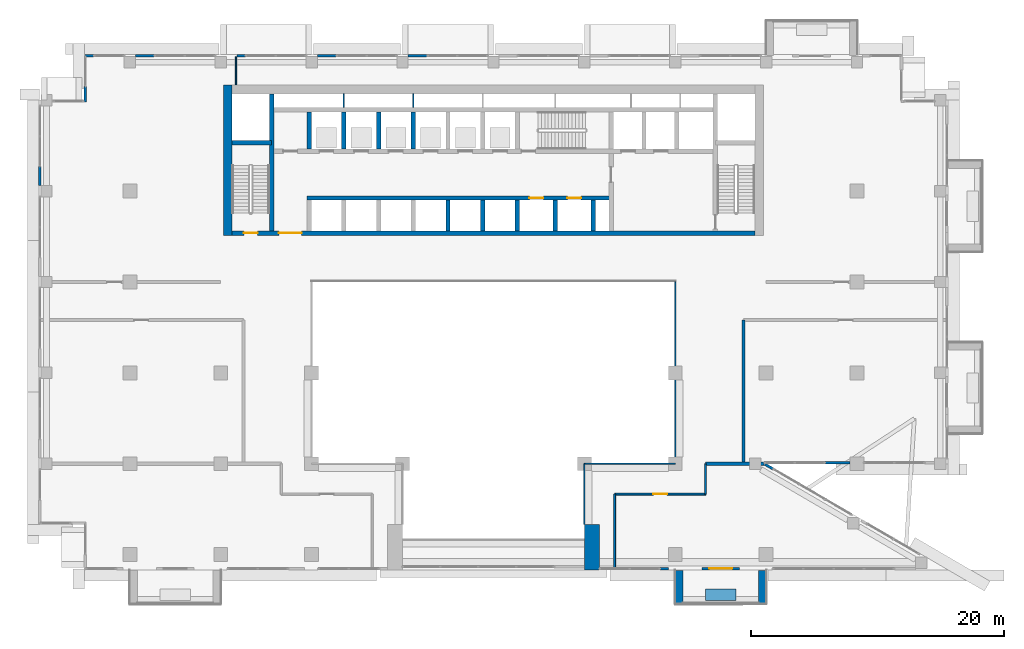
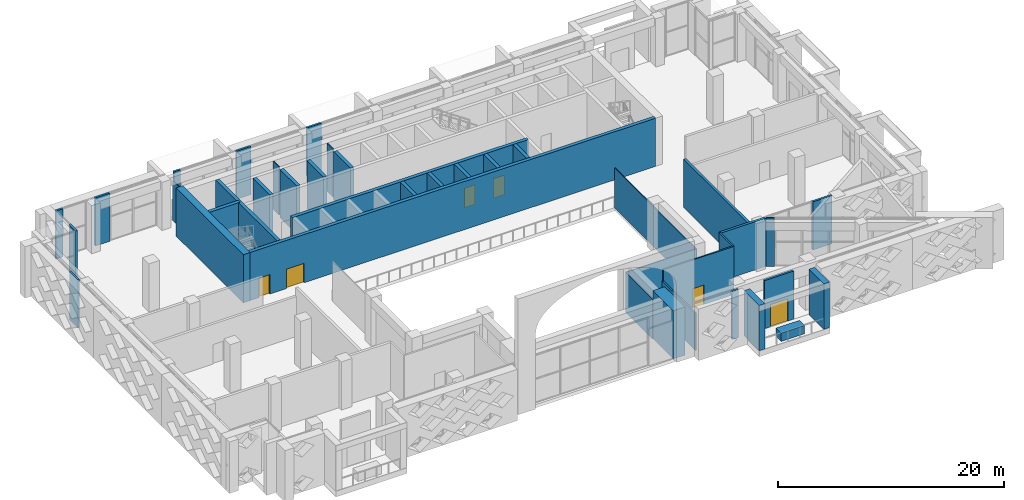
# One storey, part 15 of 25: 40 walls, 6 doors, 6 openings.
"""IFC4 building model written with IfcOpenShell, lengths in metres."""

from ifc_helpers import new_model, si_unit, direction, frame, frame_2d, origin, place, context, subcontext, project, spatial, rectangle, extrude, material, layer, layer_set, type_object, element, fill, save


model = new_model("IFC4")

# Units and contexts
model_context = context("Model", 3, precision=1e-05, world=origin(), true_north=direction((0.0, 1.0)))
body_context = subcontext(model_context, "Body", "Model", "MODEL_VIEW")
ifc_project = project(units=[si_unit("LENGTHUNIT", "METRE"), si_unit("AREAUNIT", "SQUARE_METRE"), si_unit("VOLUMEUNIT", "CUBIC_METRE"), si_unit("PLANEANGLEUNIT", "RADIAN"), si_unit("MASSUNIT", "GRAM", prefix="KILO")], contexts=[model_context])

# Site, building, storey
site_placement = place(None, origin())
site = spatial("IfcSite", under=ifc_project, at=site_placement, CompositionType="ELEMENT")
building_placement = place(site_placement, origin())
building = spatial("IfcBuilding", under=site, at=building_placement, Name="Saffron Iwan Residences", CompositionType="ELEMENT")
storey_placement = place(building_placement, frame((0.0, 0.0, 137.5)))
storey = spatial("IfcBuildingStorey", under=building, at=storey_placement, Name="L36", CompositionType="ELEMENT", Elevation=137.5)

# Walls
ifc_material_1 = material(Name="Concrete C50/60 white painted", Category="concrete")
ifc_layer_1 = layer(ifc_material_1, 0.60009765625)
ifc_layer_set_1 = layer_set([ifc_layer_1], Name="Concrete C50/60 white painted")
wall_type_1 = type_object("IfcWallType", Name="BALCONY FIN 600", PredefinedType="SOLIDWALL", material=ifc_layer_set_1)
for number, where, z_axis, x_axis, name in (
    (1, (65.10009765625, 39.550048828125, 0.0), (0.0, 0.0, 1.0), (0.0, -1.0, 0.0), "Balcony fin L36 11-1a"),
    (2, (71.699951171875, 39.550048828125, 0.0), (0.0, 0.0, 1.0), (0.0, -1.0, 0.0), "Balcony fin L36 11-1b"),
):
    element("IfcWall", number, at=place(storey_placement, frame(where, z_axis=z_axis, x_axis=x_axis)), inside=storey, type_object=wall_type_1, Name=name, PredefinedType="SOLIDWALL", context=body_context, shape_type="SweptSolid", body=[
        extrude(rectangle(XDim=2.650146484375, YDim=0.60009765625, at=frame_2d((1.3251953125, 0.0))), origin(), (0.0, 0.0, 1.0), 4.89990234375),
    ])
ifc_material_2 = material(Name="Concrete C35/45 white painted", Category="concrete")
ifc_layer_2 = layer(ifc_material_2, 0.14990234375)
ifc_layer_set_2 = layer_set([ifc_layer_2], Name="Concrete C35/45 white painted")
wall_type_2 = type_object("IfcWallType", Name="BALCONY PLANTER", PredefinedType="SOLIDWALL", material=ifc_layer_set_2)
wall_1_placement = place(storey_placement, frame((67.199951171875, 37.625, 0.0), z_axis=(0.0, 0.0, 1.0), x_axis=(1.0, 0.0, 0.0)))
element("IfcWall", 3, at=wall_1_placement, inside=storey, type_object=wall_type_2, Name="PLANTER L36 11-1", PredefinedType="SOLIDWALL", context=body_context, shape_type="SweptSolid", body=[
    extrude(rectangle(XDim=2.400146484375, YDim=0.89990234375, at=frame_2d((1.2001953125, 0.0))), origin(), (0.0, 0.0, 1.0), 0.89990234375),
])

# Wall, opening, door
ifc_material_3 = material(Name="Concrete blockwork", Category="masonry")
ifc_layer_3 = layer(ifc_material_3, 0.14990234375)
ifc_layer_set_3 = layer_set([ifc_layer_3], Name="Concrete blockwork")
wall_type_3 = type_object("IfcWallType", Name="Blockwork partition 150", PredefinedType="PARTITIONING", material=ifc_layer_set_3)
wall_2_placement = place(storey_placement, frame((60.0, 45.60009765625, 0.0), z_axis=(0.0, 0.0, 1.0), x_axis=(1.0, 0.0, 0.0)))
wall_2 = element("IfcWall", 4, at=wall_2_placement, inside=storey, type_object=wall_type_3, Name="W-L36-003", PredefinedType="PARTITIONING", context=body_context, shape_type="SweptSolid", body=[
    extrude(rectangle(XDim=7.199951171875, YDim=0.14990234375, at=frame_2d((3.60009765625, 0.0))), origin(), (0.0, 0.0, 1.0), 5.199951171875),
])
opening_1_placement = place(wall_2_placement, frame((3.050048828125, 0.0, 0.0)))
opening_1 = element("IfcOpeningElement", 5, at=opening_1_placement, cuts=wall_2, Name="Opening L36.04", PredefinedType="OPENING", context=body_context, shape_type="SweptSolid", body=[
    extrude(rectangle(XDim=1.10009765625, YDim=2.10009765625, at=frame_2d((0.550048828125, 1.050048828125))), frame((0.0, 0.0849609375, 0.0), z_axis=(0.0, -1.0, 0.0), x_axis=(1.0, 0.0, 0.0)), (0.0, 0.0, 1.0), 0.169921875),
])
ifc_material_4 = material(Name="Timber", Category="wood")
door_type_1 = type_object("IfcDoorType", Name="Door 1100x2100", OperationType="NOTDEFINED", PredefinedType="DOOR", material=ifc_material_4)
door_1_placement = place(opening_1_placement, origin())
door_1 = element("IfcDoor", 6, at=door_1_placement, inside=storey, type_object=door_type_1, Name="D-L36-004", OperationType="SINGLE_SWING_RIGHT", OverallHeight=2.10009765625, OverallWidth=1.10009765625, PredefinedType="DOOR", context=body_context, shape_type="SweptSolid", body=[
    extrude(rectangle(XDim=1.10009765625, YDim=2.10009765625, at=frame_2d((0.550048828125, 1.050048828125))), frame((0.0, 0.02490234375, 0.0), z_axis=(0.0, -1.0, 0.0), x_axis=(1.0, 0.0, 0.0)), (0.0, 0.0, 1.0), 0.050048828125),
])
fill(opening_1, door_1)

# Walls
wall_3_placement = place(storey_placement, frame((60.0, 39.77001953125, 0.0), z_axis=(0.0, 0.0, 1.0), x_axis=(0.0, 1.0, 0.0)))
element("IfcWall", 7, at=wall_3_placement, inside=storey, type_object=wall_type_3, Name="W-L36-019", PredefinedType="PARTITIONING", context=body_context, shape_type="SweptSolid", body=[
    extrude(rectangle(XDim=5.830078125, YDim=0.14990234375, at=frame_2d((2.9150390625, 0.0))), origin(), (0.0, 0.0, 1.0), 4.0),
])
wall_4_placement = place(storey_placement, frame((67.199951171875, 45.60009765625, 0.0), z_axis=(0.0, 0.0, 1.0), x_axis=(0.0, 1.0, 0.0)))
element("IfcWall", 8, at=wall_4_placement, inside=storey, type_object=wall_type_3, Name="W-L36-021", PredefinedType="PARTITIONING", context=body_context, shape_type="SweptSolid", body=[
    extrude(rectangle(XDim=2.39990234375, YDim=0.14990234375, at=frame_2d((1.199951171875, 0.0))), origin(), (0.0, 0.0, 1.0), 5.199951171875),
])
ifc_material_5 = material(Name="Concrete C40/50", Category="concrete")
ifc_layer_4 = layer(ifc_material_5, 0.199951171875)
ifc_layer_set_4 = layer_set([ifc_layer_4], Name="Concrete C40/50")
wall_type_4 = type_object("IfcWallType", Name="EXTERNAL WALL 200", PredefinedType="SOLIDWALL", material=ifc_layer_set_4)
wall_5_placement = place(storey_placement, frame((72.5517578125, 47.58544921875, 0.0), z_axis=(0.0, 0.0, 1.0), x_axis=(-0.863743817622, 0.503931163473, 0.0)))
element("IfcWall", 9, at=wall_5_placement, inside=storey, type_object=wall_type_4, Name="External wall infill CWC-L36-F0-2", PredefinedType="SOLIDWALL", context=body_context, shape_type="SweptSolid", body=[
    extrude(rectangle(XDim=0.75732421875, YDim=0.199951171875, at=frame_2d((0.378662109375, 0.0))), origin(), (0.0, 0.0, 1.0), 5.199951171875),
])
wall_6_placement = place(storey_placement, frame((76.674072265625, 48.080078125, 0.0), z_axis=(0.0, 0.0, 1.0), x_axis=(1.0, 0.0, 0.0)))
element("IfcWall", 10, at=wall_6_placement, inside=storey, type_object=wall_type_4, Name="External wall infill CWC-L36-F1-0", PredefinedType="SOLIDWALL", context=body_context, shape_type="SweptSolid", body=[
    extrude(rectangle(XDim=1.975830078125, YDim=0.199951171875, at=frame_2d((0.98779296875, 0.0))), origin(), (0.0, 0.0, 1.0), 5.199951171875),
])
for number, where, z_axis, x_axis, name in (
    (11, (45.14990234375, 80.320068359375, 0.0), (0.0, 0.0, 1.0), (-1.0, 0.0, 0.0), "External wall infill CWC-L36-F5-6"),
    (12, (37.949951171875, 80.320068359375, 0.0), (0.0, 0.0, 1.0), (-1.0, 0.0, 0.0), "External wall infill CWC-L36-F5-7"),
):
    element("IfcWall", number, at=place(storey_placement, frame(where, z_axis=z_axis, x_axis=x_axis)), inside=storey, type_object=wall_type_4, Name=name, PredefinedType="SOLIDWALL", context=body_context, shape_type="SweptSolid", body=[
        extrude(rectangle(XDim=1.5, YDim=0.199951171875, at=frame_2d((0.75, 0.0))), origin(), (0.0, 0.0, 1.0), 5.199951171875),
    ])
wall_7_placement = place(storey_placement, frame((30.75, 80.320068359375, 0.0), z_axis=(0.0, 0.0, 1.0), x_axis=(-1.0, 0.0, 0.0)))
element("IfcWall", 13, at=wall_7_placement, inside=storey, type_object=wall_type_4, Name="External wall infill CWC-L36-F5-8", PredefinedType="SOLIDWALL", context=body_context, shape_type="SweptSolid", body=[
    extrude(rectangle(XDim=0.679931640625, YDim=0.199951171875, at=frame_2d((0.33984375, 0.0))), origin(), (0.0, 0.0, 1.0), 5.199951171875),
])
wall_8_placement = place(storey_placement, frame((23.550048828125, 80.320068359375, 0.0), z_axis=(0.0, 0.0, 1.0), x_axis=(-1.0, 0.0, 0.0)))
element("IfcWall", 14, at=wall_8_placement, inside=storey, type_object=wall_type_4, Name="External wall infill CWC-L36-F5-9", PredefinedType="SOLIDWALL", context=body_context, shape_type="SweptSolid", body=[
    extrude(rectangle(XDim=1.5, YDim=0.199951171875, at=frame_2d((0.75, 0.0))), origin(), (0.0, 0.0, 1.0), 5.199951171875),
])
wall_9_placement = place(storey_placement, frame((18.75, 80.320068359375, 0.0), z_axis=(0.0, 0.0, 1.0), x_axis=(-1.0, 0.0, 0.0)))
element("IfcWall", 15, at=wall_9_placement, inside=storey, type_object=wall_type_4, Name="External wall infill CWC-L36-F5-10", PredefinedType="SOLIDWALL", context=body_context, shape_type="SweptSolid", body=[
    extrude(rectangle(XDim=0.719970703125, YDim=0.199951171875, at=frame_2d((0.35986328125, 0.0))), origin(), (0.0, 0.0, 1.0), 5.199951171875),
])
wall_10_placement = place(storey_placement, frame((18.080078125, 77.8701171875, 0.0), z_axis=(0.0, 0.0, 1.0), x_axis=(0.0, -1.0, 0.0)))
element("IfcWall", 16, at=wall_10_placement, inside=storey, type_object=wall_type_4, Name="External wall infill CWC-L36-F6-0", PredefinedType="SOLIDWALL", context=body_context, shape_type="SweptSolid", body=[
    extrude(rectangle(XDim=1.2001953125, YDim=0.199951171875, at=frame_2d((0.60009765625, 0.0))), origin(), (0.0, 0.0, 1.0), 5.199951171875),
])
wall_11_placement = place(storey_placement, frame((14.47998046875, 71.550048828125, 0.0), z_axis=(0.0, 0.0, 1.0), x_axis=(0.0, -1.0, 0.0)))
element("IfcWall", 17, at=wall_11_placement, inside=storey, type_object=wall_type_4, Name="External wall infill CWC-L36-F8-0", PredefinedType="SOLIDWALL", context=body_context, shape_type="SweptSolid", body=[
    extrude(rectangle(XDim=1.5, YDim=0.199951171875, at=frame_2d((0.75, 0.0))), origin(), (0.0, 0.0, 1.0), 5.199951171875),
])

# Wall, opening, door
wall_12_placement = place(storey_placement, frame((66.89990234375, 39.699951171875, 0.0), z_axis=(0.0, 0.0, 1.0), x_axis=(1.0, 0.0, 0.0)))
wall_12 = element("IfcWall", 18, at=wall_12_placement, inside=storey, type_object=wall_type_4, Name="External wall L36 F11.D1", PredefinedType="SOLIDWALL", context=body_context, shape_type="SweptSolid", body=[
    extrude(rectangle(XDim=3.0, YDim=0.199951171875, at=frame_2d((1.5, 0.0))), origin(), (0.0, 0.0, 1.0), 5.199951171875),
])
opening_2_placement = place(wall_12_placement, frame((0.60009765625, 0.0, 0.0)))
opening_2 = element("IfcOpeningElement", 19, at=opening_2_placement, cuts=wall_12, Name="Opening BD1", PredefinedType="OPENING", context=body_context, shape_type="SweptSolid", body=[
    extrude(rectangle(XDim=1.800048828125, YDim=2.39990234375, at=frame_2d((0.89990234375, 1.199951171875))), frame((0.0, 0.10986328125, 0.0), z_axis=(0.0, -1.0, 0.0), x_axis=(1.0, 0.0, 0.0)), (0.0, 0.0, 1.0), 0.219970703125),
])
ifc_material_6 = material(Name="Clear glass, laminated double glazed", Category="glass")
door_type_2 = type_object("IfcDoorType", Name="BALCONY DOOR 1800 x 2400", OperationType="DOUBLE_DOOR_SLIDING", PredefinedType="DOOR", material=ifc_material_6)
door_2_placement = place(opening_2_placement, origin())
door_2 = element("IfcDoor", 20, at=door_2_placement, inside=storey, type_object=door_type_2, Name="Terrace door L36 F11.1", OperationType="DOUBLE_DOOR_SLIDING", OverallHeight=2.39990234375, OverallWidth=1.800048828125, PredefinedType="DOOR", context=body_context, shape_type="SweptSolid", body=[
    extrude(rectangle(XDim=1.800048828125, YDim=2.39990234375, at=frame_2d((0.89990234375, 1.199951171875))), frame((0.0, 0.02490234375, 0.0), z_axis=(0.0, -1.0, 0.0), x_axis=(1.0, 0.0, 0.0)), (0.0, 0.0, 1.0), 0.050048828125),
])
fill(opening_2, door_2)

# Walls
wall_13_placement = place(storey_placement, frame((63.60009765625, 39.679931640625, 0.0), z_axis=(0.0, 0.0, 1.0), x_axis=(1.0, 0.0, 0.0)))
element("IfcWall", 21, at=wall_13_placement, inside=storey, type_object=wall_type_4, Name="External wall infill CWC-L36-F11-5", PredefinedType="SOLIDWALL", context=body_context, shape_type="SweptSolid", body=[
    extrude(rectangle(XDim=0.64990234375, YDim=0.199951171875, at=frame_2d((0.324951171875, 0.0))), origin(), (0.0, 0.0, 1.0), 5.199951171875),
])
ifc_layer_5 = layer(ifc_material_5, 0.25)
ifc_layer_set_5 = layer_set([ifc_layer_5], Name="Concrete C40/50")
wall_type_5 = type_object("IfcWallType", Name="Fire compartment wall 250", PredefinedType="SOLIDWALL", material=ifc_layer_set_5)
wall_14_placement = place(storey_placement, frame((67.199951171875, 48.0, 0.0), z_axis=(0.0, 0.0, 1.0), x_axis=(1.0, 0.0, 0.0)))
element("IfcWall", 22, at=wall_14_placement, inside=storey, type_object=wall_type_5, Name="W-L36-007", PredefinedType="SOLIDWALL", context=body_context, shape_type="SweptSolid", body=[
    extrude(rectangle(XDim=4.630126953125, YDim=0.25, at=frame_2d((2.31494140625, 0.0))), origin(), (0.0, 0.0, 1.0), 5.199951171875),
])
wall_15_placement = place(storey_placement, frame((70.199951171875, 48.125, 0.0), z_axis=(0.0, 0.0, 1.0), x_axis=(0.0, 1.0, 0.0)))
element("IfcWall", 23, at=wall_15_placement, inside=storey, type_object=wall_type_5, Name="W-L36-022", PredefinedType="SOLIDWALL", context=body_context, shape_type="SweptSolid", body=[
    extrude(rectangle(XDim=11.27490234375, YDim=0.25, at=frame_2d((5.637451171875, 0.0))), origin(), (0.0, 0.0, 1.0), 5.199951171875),
])
ifc_material_7 = material(Name="Glass", Category="glass")
ifc_layer_6 = layer(ifc_material_7, 0.10009765625)
ifc_layer_set_6 = layer_set([ifc_layer_6], Name="Glass")
wall_type_6 = type_object("IfcWallType", Name="Glazed screen wall 100", PredefinedType="PARTITIONING", material=ifc_layer_set_6)
wall_16_placement = place(storey_placement, frame((57.60009765625, 48.0, 0.0), z_axis=(0.0, 0.0, 1.0), x_axis=(1.0, 0.0, 0.0)))
element("IfcWall", 24, at=wall_16_placement, inside=storey, type_object=wall_type_6, Name="W-L36-005", PredefinedType="PARTITIONING", context=body_context, shape_type="SweptSolid", body=[
    extrude(rectangle(XDim=7.199951171875, YDim=0.10009765625, at=frame_2d((3.60009765625, 0.0))), origin(), (0.0, 0.0, 1.0), 4.300048828125),
])
wall_17_placement = place(storey_placement, frame((30.0, 78.001953125, 0.0), z_axis=(0.0, 0.0, 1.0), x_axis=(0.0, 1.0, 0.0)))
element("IfcWall", 25, at=wall_17_placement, inside=storey, type_object=wall_type_6, Name="W-L36-012", PredefinedType="PARTITIONING", context=body_context, shape_type="SweptSolid", body=[
    extrude(rectangle(XDim=2.22802734375, YDim=0.10009765625, at=frame_2d((1.114013671875, 0.0))), origin(), (0.0, 0.0, 1.0), 4.300048828125),
])
wall_18_placement = place(storey_placement, frame((57.60009765625, 43.201904296875, 0.0), z_axis=(0.0, 0.0, 1.0), x_axis=(0.0, 1.0, 0.0)))
element("IfcWall", 26, at=wall_18_placement, inside=storey, type_object=wall_type_6, Name="W-L36-018", PredefinedType="PARTITIONING", context=body_context, shape_type="SweptSolid", body=[
    extrude(rectangle(XDim=4.798095703125, YDim=0.10009765625, at=frame_2d((2.39892578125, 0.0))), origin(), (0.0, 0.0, 1.0), 4.300048828125),
])
wall_19_placement = place(storey_placement, frame((64.800048828125, 48.0, 0.0), z_axis=(0.0, 0.0, 1.0), x_axis=(0.0, 1.0, 0.0)))
element("IfcWall", 27, at=wall_19_placement, inside=storey, type_object=wall_type_6, Name="W-L36-020", PredefinedType="PARTITIONING", context=body_context, shape_type="SweptSolid", body=[
    extrude(rectangle(XDim=14.39990234375, YDim=0.10009765625, at=frame_2d((7.199951171875, 0.0))), origin(), (0.0, 0.0, 1.0), 4.300048828125),
])
ifc_material_8 = material(Name="Fire-rated plasterboard partition")
ifc_layer_7 = layer(ifc_material_8, 0.10009765625)
ifc_layer_set_7 = layer_set([ifc_layer_7], Name="Fire-rated plasterboard partition")
wall_type_7 = type_object("IfcWallType", Name="Riser partition 100", PredefinedType="PARTITIONING", material=ifc_layer_set_7)
for number, where, z_axis, x_axis, name in (
    (28, (38.550048828125, 76.22509765625, 0.0), (0.0, 0.0, 1.0), (0.0, 1.0, 0.0), "Core partition P01"),
    (29, (44.050048828125, 76.22509765625, 0.0), (0.0, 0.0, 1.0), (0.0, 1.0, 0.0), "Core partition P02"),
):
    element("IfcWall", number, at=place(storey_placement, frame(where, z_axis=z_axis, x_axis=x_axis)), inside=storey, type_object=wall_type_7, Name=name, PredefinedType="PARTITIONING", context=body_context, shape_type="SweptSolid", body=[
        extrude(rectangle(XDim=1.074951171875, YDim=0.10009765625, at=frame_2d((0.53759765625, 0.0))), origin(), (0.0, 0.0, 1.0), 5.199951171875),
    ])

# Wall, openings, doors
ifc_material_9 = material(Name="Concrete C50/60", Category="concrete")
ifc_layer_8 = layer(ifc_material_9, 0.35009765625)
ifc_layer_set_8 = layer_set([ifc_layer_8], Name="Concrete C50/60")
wall_type_8 = type_object("IfcWallType", Name="WALL CORE 350 C50/60 5200 HIGH", PredefinedType="SHEAR", material=ifc_layer_set_8)
wall_20_placement = place(storey_placement, frame((29.699951171875, 66.27490234375, 0.0), z_axis=(0.0, 0.0, 1.0), x_axis=(1.0, 0.0, 0.0)))
wall_20 = element("IfcWall", 30, at=wall_20_placement, inside=storey, type_object=wall_type_8, Name="Core wall", PredefinedType="SHEAR", context=body_context, shape_type="SweptSolid", body=[
    extrude(rectangle(XDim=41.400146484375, YDim=0.35009765625, at=frame_2d((20.7001953125, 0.0))), origin(), (0.0, 0.0, 1.0), 5.199951171875),
])
opening_3_placement = place(wall_20_placement, frame((0.925048828125, 0.0, 0.0)))
opening_3 = element("IfcOpeningElement", 31, at=opening_3_placement, cuts=wall_20, Name="Opening SD", PredefinedType="OPENING", context=body_context, shape_type="SweptSolid", body=[
    extrude(rectangle(XDim=1.10009765625, YDim=2.10009765625, at=frame_2d((0.550048828125, 1.050048828125))), frame((0.0, 0.18505859375, 0.0), z_axis=(0.0, -1.0, 0.0), x_axis=(1.0, 0.0, 0.0)), (0.0, 0.0, 1.0), 0.3701171875),
])
opening_4_placement = place(wall_20_placement, frame((3.71240234375, 0.0, 0.0)))
opening_4 = element("IfcOpeningElement", 32, at=opening_4_placement, cuts=wall_20, Name="Opening DD", PredefinedType="OPENING", context=body_context, shape_type="SweptSolid", body=[
    extrude(rectangle(XDim=1.800048828125, YDim=2.10009765625, at=frame_2d((0.89990234375, 1.050048828125))), frame((0.0, 0.18505859375, 0.0), z_axis=(0.0, -1.0, 0.0), x_axis=(1.0, 0.0, 0.0)), (0.0, 0.0, 1.0), 0.3701171875),
])
ifc_material_10 = material(Name="Steel fire door", Category="steel")
door_type_3 = type_object("IfcDoorType", Name="Lobby double door 1800", OperationType="DOUBLE_DOOR_SINGLE_SWING", PredefinedType="DOOR", material=ifc_material_10)
door_3_placement = place(opening_4_placement, origin())
door_3 = element("IfcDoor", 33, at=door_3_placement, inside=storey, type_object=door_type_3, Name="Lobby doors", OperationType="DOUBLE_DOOR_SINGLE_SWING", OverallHeight=2.10009765625, OverallWidth=1.800048828125, PredefinedType="DOOR", context=body_context, shape_type="SweptSolid", body=[
    extrude(rectangle(XDim=1.800048828125, YDim=2.10009765625, at=frame_2d((0.89990234375, 1.050048828125))), frame((0.0, 0.02490234375, 0.0), z_axis=(0.0, -1.0, 0.0), x_axis=(1.0, 0.0, 0.0)), (0.0, 0.0, 1.0), 0.050048828125),
])
fill(opening_4, door_3)
door_type_4 = type_object("IfcDoorType", Name="Stair door 1100", OperationType="NOTDEFINED", PredefinedType="DOOR", material=ifc_material_10)
door_4_placement = place(opening_3_placement, origin())
door_4 = element("IfcDoor", 34, at=door_4_placement, inside=storey, type_object=door_type_4, Name="Stair door ST-W", OperationType="SINGLE_SWING_LEFT", OverallHeight=2.10009765625, OverallWidth=1.10009765625, PredefinedType="DOOR", context=body_context, shape_type="SweptSolid", body=[
    extrude(rectangle(XDim=1.10009765625, YDim=2.10009765625, at=frame_2d((0.550048828125, 1.050048828125))), frame((0.0, 0.02490234375, 0.0), z_axis=(0.0, -1.0, 0.0), x_axis=(1.0, 0.0, 0.0)), (0.0, 0.0, 1.0), 0.050048828125),
])
fill(opening_3, door_4)

wall_21_placement = place(storey_placement, frame((35.625, 69.050048828125, 0.0), z_axis=(0.0, 0.0, 1.0), x_axis=(1.0, 0.0, 0.0)))
wall_21 = element("IfcWall", 35, at=wall_21_placement, inside=storey, type_object=wall_type_8, Name="Core wall", PredefinedType="SHEAR", context=body_context, shape_type="SweptSolid", body=[
    extrude(rectangle(XDim=24.10009765625, YDim=0.35009765625, at=frame_2d((12.050048828125, 0.0))), origin(), (0.0, 0.0, 1.0), 5.199951171875),
])
opening_5_placement = place(wall_21_placement, frame((17.625, 0.0, 0.0)))
opening_5 = element("IfcOpeningElement", 36, at=opening_5_placement, cuts=wall_21, Name="Opening LD", PredefinedType="OPENING", context=body_context, shape_type="SweptSolid", body=[
    extrude(rectangle(XDim=1.10009765625, YDim=2.10009765625, at=frame_2d((0.550048828125, 1.050048828125))), frame((0.0, 0.18505859375, 0.0), z_axis=(0.0, -1.0, 0.0), x_axis=(1.0, 0.0, 0.0)), (0.0, 0.0, 1.0), 0.3701171875),
])
opening_6_placement = place(wall_21_placement, frame((20.625, 0.0, 0.0)))
opening_6 = element("IfcOpeningElement", 37, at=opening_6_placement, cuts=wall_21, Name="Opening LD", PredefinedType="OPENING", context=body_context, shape_type="SweptSolid", body=[
    extrude(rectangle(XDim=1.10009765625, YDim=2.10009765625, at=frame_2d((0.550048828125, 1.050048828125))), frame((0.0, 0.18505859375, 0.0), z_axis=(0.0, -1.0, 0.0), x_axis=(1.0, 0.0, 0.0)), (0.0, 0.0, 1.0), 0.3701171875),
])
door_type_5 = type_object("IfcDoorType", Name="Lift landing door 1100", OperationType="SLIDING_TO_LEFT", PredefinedType="DOOR", material=ifc_material_10)
door_5_placement = place(opening_5_placement, origin())
door_5 = element("IfcDoor", 38, at=door_5_placement, inside=storey, type_object=door_type_5, Name="Landing doors SH1", OperationType="SLIDING_TO_LEFT", OverallHeight=2.10009765625, OverallWidth=1.10009765625, PredefinedType="DOOR", context=body_context, shape_type="SweptSolid", body=[
    extrude(rectangle(XDim=1.10009765625, YDim=2.10009765625, at=frame_2d((0.550048828125, 1.050048828125))), frame((0.0, 0.02490234375, 0.0), z_axis=(0.0, -1.0, 0.0), x_axis=(1.0, 0.0, 0.0)), (0.0, 0.0, 1.0), 0.050048828125),
])
fill(opening_5, door_5)
door_6_placement = place(opening_6_placement, origin())
door_6 = element("IfcDoor", 39, at=door_6_placement, inside=storey, type_object=door_type_5, Name="Landing doors SH2", OperationType="SLIDING_TO_LEFT", OverallHeight=2.10009765625, OverallWidth=1.10009765625, PredefinedType="DOOR", context=body_context, shape_type="SweptSolid", body=[
    extrude(rectangle(XDim=1.10009765625, YDim=2.10009765625, at=frame_2d((0.550048828125, 1.050048828125))), frame((0.0, 0.02490234375, 0.0), z_axis=(0.0, -1.0, 0.0), x_axis=(1.0, 0.0, 0.0)), (0.0, 0.0, 1.0), 0.050048828125),
])
fill(opening_6, door_6)

# Walls
wall_22_placement = place(storey_placement, frame((29.699951171875, 73.425048828125, 0.0), z_axis=(0.0, 0.0, 1.0), x_axis=(1.0, 0.0, 0.0)))
element("IfcWall", 40, at=wall_22_placement, inside=storey, type_object=wall_type_8, Name="Core wall", PredefinedType="SHEAR", context=body_context, shape_type="SweptSolid", body=[
    extrude(rectangle(XDim=3.125, YDim=0.35009765625, at=frame_2d((1.5625, 0.0))), origin(), (0.0, 0.0, 1.0), 5.199951171875),
])
wall_23_placement = place(storey_placement, frame((32.824951171875, 66.449951171875, 0.0), z_axis=(0.0, 0.0, 1.0), x_axis=(0.0, 1.0, 0.0)))
element("IfcWall", 41, at=wall_23_placement, inside=storey, type_object=wall_type_8, Name="Core wall", PredefinedType="SHEAR", context=body_context, shape_type="SweptSolid", body=[
    extrude(rectangle(XDim=10.85009765625, YDim=0.35009765625, at=frame_2d((5.425048828125, 0.0))), origin(), (0.0, 0.0, 1.0), 5.199951171875),
])
for number, where, z_axis, x_axis, name in (
    (42, (46.800048828125, 66.449951171875, 0.0), (0.0, 0.0, 1.0), (0.0, 1.0, 0.0), "Core wall"),
    (43, (49.550048828125, 66.449951171875, 0.0), (0.0, 0.0, 1.0), (0.0, 1.0, 0.0), "Core wall"),
    (44, (52.300048828125, 66.449951171875, 0.0), (0.0, 0.0, 1.0), (0.0, 1.0, 0.0), "Core wall"),
    (45, (55.300048828125, 66.449951171875, 0.0), (0.0, 0.0, 1.0), (0.0, 1.0, 0.0), "Core wall"),
    (46, (58.300048828125, 66.449951171875, 0.0), (0.0, 0.0, 1.0), (0.0, 1.0, 0.0), "Core wall"),
):
    element("IfcWall", number, at=place(storey_placement, frame(where, z_axis=z_axis, x_axis=x_axis)), inside=storey, type_object=wall_type_8, Name=name, PredefinedType="SHEAR", context=body_context, shape_type="SweptSolid", body=[
        extrude(rectangle(XDim=2.425048828125, YDim=0.35009765625, at=frame_2d((1.21240234375, 0.0))), origin(), (0.0, 0.0, 1.0), 5.199951171875),
    ])
for number, where, z_axis, x_axis, name in (
    (47, (35.800048828125, 72.925048828125, 0.0), (0.0, 0.0, 1.0), (0.0, 1.0, 0.0), "Core wall"),
    (48, (38.550048828125, 72.925048828125, 0.0), (0.0, 0.0, 1.0), (0.0, 1.0, 0.0), "Core wall"),
    (49, (41.300048828125, 72.925048828125, 0.0), (0.0, 0.0, 1.0), (0.0, 1.0, 0.0), "Core wall"),
    (50, (44.050048828125, 72.925048828125, 0.0), (0.0, 0.0, 1.0), (0.0, 1.0, 0.0), "Core wall"),
):
    element("IfcWall", number, at=place(storey_placement, frame(where, z_axis=z_axis, x_axis=x_axis)), inside=storey, type_object=wall_type_8, Name=name, PredefinedType="SHEAR", context=body_context, shape_type="SweptSolid", body=[
        extrude(rectangle(XDim=2.949951171875, YDim=0.35009765625, at=frame_2d((1.47509765625, 0.0))), origin(), (0.0, 0.0, 1.0), 5.199951171875),
    ])
ifc_layer_9 = layer(ifc_material_9, 0.699951171875)
ifc_layer_set_9 = layer_set([ifc_layer_9], Name="Concrete C50/60")
wall_type_9 = type_object("IfcWallType", Name="WALL CORE 700 C50/60 5200 HIGH", PredefinedType="SHEAR", material=ifc_layer_set_9)
wall_24_placement = place(storey_placement, frame((29.35009765625, 66.10009765625, 0.0), z_axis=(0.0, 0.0, 1.0), x_axis=(0.0, 1.0, 0.0)))
element("IfcWall", 51, at=wall_24_placement, inside=storey, type_object=wall_type_9, Name="Core wall", PredefinedType="SHEAR", context=body_context, shape_type="SweptSolid", body=[
    extrude(rectangle(XDim=11.89990234375, YDim=0.699951171875, at=frame_2d((5.949951171875, 0.0))), origin(), (0.0, 0.0, 1.0), 5.199951171875),
])
ifc_layer_10 = layer(ifc_material_9, 1.199951171875)
ifc_layer_set_10 = layer_set([ifc_layer_10], Name="Concrete C50/60")
wall_type_10 = type_object("IfcWallType", Name="WALL IWAN PIER 1200 C50/60 5200 HIGH", PredefinedType="SHEAR", material=ifc_layer_set_10)
wall_25_placement = place(storey_placement, frame((58.199951171875, 39.60009765625, 0.0), z_axis=(0.0, 0.0, 1.0), x_axis=(0.0, 1.0, 0.0)))
element("IfcWall", 52, at=wall_25_placement, inside=storey, type_object=wall_type_10, Name="IWAN PIER", PredefinedType="SHEAR", context=body_context, shape_type="SweptSolid", body=[
    extrude(rectangle(XDim=3.599853515625, YDim=1.199951171875, at=frame_2d((1.7998046875, 0.0))), origin(), (0.0, 0.0, 1.0), 5.199951171875),
])

save(model, "model.ifc")
